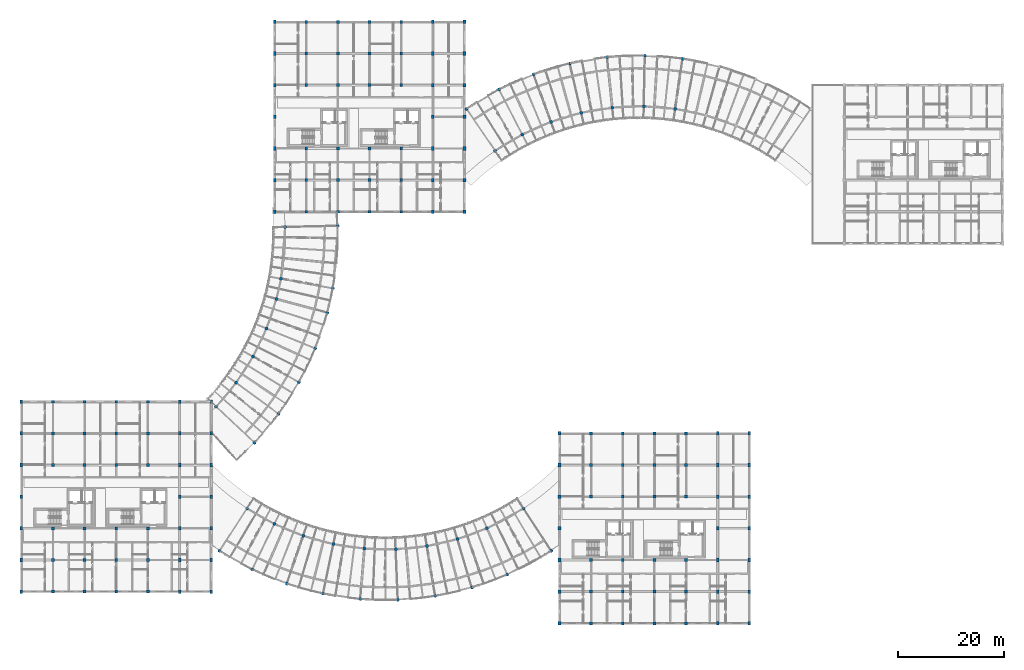
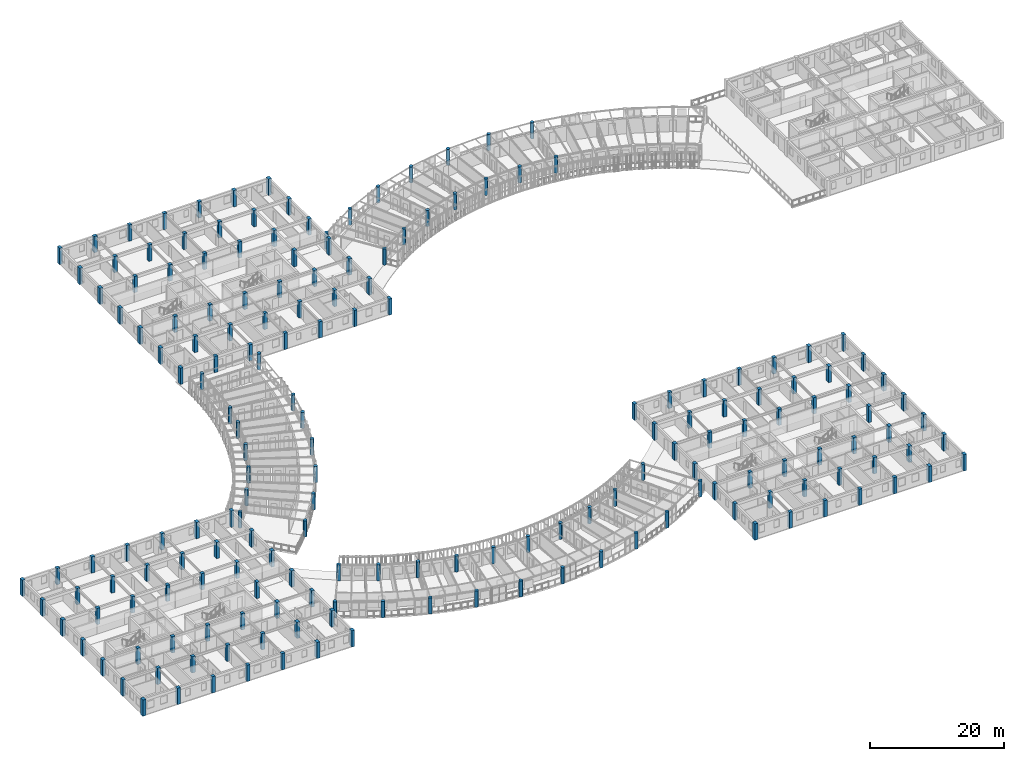
# One storey, part 1 of 101: 183 columns.
"""IFC4 building model written with IfcOpenShell, lengths in metres."""

from ifc_helpers import new_model, si_unit, direction, frame, origin, origin_2d, place, context, subcontext, project, spatial, rectangle, circle, extrude, material, material_profile, profile_set, type_object, element, save


model = new_model("IFC4")

# Units and contexts
model_context = context("Model", 3, precision=1e-05, world=origin(), true_north=direction((0.0, 1.0)))
body_context = subcontext(model_context, "Body", "Model", "MODEL_VIEW")
ifc_project = project(units=[si_unit("LENGTHUNIT", "METRE"), si_unit("AREAUNIT", "SQUARE_METRE"), si_unit("VOLUMEUNIT", "CUBIC_METRE"), si_unit("PLANEANGLEUNIT", "RADIAN"), si_unit("MASSUNIT", "GRAM", prefix="KILO"), si_unit("POWERUNIT", "WATT"), si_unit("THERMODYNAMICTEMPERATUREUNIT", "KELVIN")], contexts=[model_context])

# Site, building, storey
site_placement = place(None, origin())
site = spatial("IfcSite", under=ifc_project, at=site_placement, CompositionType="ELEMENT")
building_placement = place(site_placement, origin())
building = spatial("IfcBuilding", under=site, at=building_placement, Name="Ruvembo Vaulted Housing Court", CompositionType="ELEMENT")
storey_placement = place(building_placement, frame((0.0, 0.0, 17.300048828125)))
storey = spatial("IfcBuildingStorey", under=building, at=storey_placement, Name="L05", CompositionType="ELEMENT", Elevation=17.300048828125)

# Columns
ifc_material = material(Name="Concrete C35/45", Category="concrete")
ifc_material_profile_1 = material_profile(ifc_material, rectangle(XDim=0.5, YDim=0.699951171875, at=origin_2d()), Name="RC 500x700")
ifc_profile_set_1 = profile_set([ifc_material_profile_1], Name="Concrete C35/45")
column_type_1 = type_object("IfcColumnType", Name="COL-RC-500x700", PredefinedType="COLUMN", material=ifc_profile_set_1)
for number, where, z_axis, x_axis, name in (
    (1, (0.0, 6.0, 0.0), (0.0, 0.0, 1.0), (1.0, 0.0, 0.0), "L05 Column (0,6)"),
    (2, (0.0, 12.0, 0.0), (0.0, 0.0, 1.0), (1.0, 0.0, 0.0), "L05 Column (0,12)"),
    (3, (0.0, 18.0, 0.0), (0.0, 0.0, 1.0), (1.0, 0.0, 0.0), "L05 Column (0,18)"),
    (4, (0.0, 24.0, 0.0), (0.0, 0.0, 1.0), (1.0, 0.0, 0.0), "L05 Column (0,24)"),
    (5, (0.0, 30.0, 0.0), (0.0, 0.0, 1.0), (1.0, 0.0, 0.0), "L05 Column (0,30)"),
    (6, (0.0, 36.0, 0.0), (0.0, 0.0, 1.0), (1.0, 0.0, 0.0), "L05 Column (0,36)"),
    (7, (0.0, 42.0, 0.0), (0.0, 0.0, 1.0), (1.0, 0.0, 0.0), "L05 Column (0,42)"),
    (8, (30.0, 6.0, 0.0), (0.0, 0.0, 1.0), (1.0, 0.0, 0.0), "L05 Column (30,6)"),
    (9, (30.0, 12.0, 0.0), (0.0, 0.0, 1.0), (1.0, 0.0, 0.0), "L05 Column (30,12)"),
    (10, (30.0, 18.0, 0.0), (0.0, 0.0, 1.0), (1.0, 0.0, 0.0), "L05 Column (30,18)"),
    (11, (30.0, 24.0, 0.0), (0.0, 0.0, 1.0), (1.0, 0.0, 0.0), "L05 Column (30,24)"),
    (12, (30.0, 30.0, 0.0), (0.0, 0.0, 1.0), (1.0, 0.0, 0.0), "L05 Column (30,30)"),
    (13, (30.0, 36.0, 0.0), (0.0, 0.0, 1.0), (1.0, 0.0, 0.0), "L05 Column (30,36)"),
    (14, (30.0, 42.0, 0.0), (0.0, 0.0, 1.0), (1.0, 0.0, 0.0), "L05 Column (30,42)"),
    (15, (36.0, 6.0, 0.0), (0.0, 0.0, 1.0), (1.0, 0.0, 0.0), "L05 Column (36,6)"),
    (16, (36.0, 12.0, 0.0), (0.0, 0.0, 1.0), (1.0, 0.0, 0.0), "L05 Column (36,12)"),
    (17, (36.0, 18.0, 0.0), (0.0, 0.0, 1.0), (1.0, 0.0, 0.0), "L05 Column (36,18)"),
    (18, (36.0, 24.0, 0.0), (0.0, 0.0, 1.0), (1.0, 0.0, 0.0), "L05 Column (36,24)"),
    (19, (36.0, 30.0, 0.0), (0.0, 0.0, 1.0), (1.0, 0.0, 0.0), "L05 Column (36,30)"),
    (20, (36.0, 36.0, 0.0), (0.0, 0.0, 1.0), (1.0, 0.0, 0.0), "L05 Column (36,36)"),
    (21, (36.0, 42.0, 0.0), (0.0, 0.0, 1.0), (1.0, 0.0, 0.0), "L05 Column (36,42)"),
    (22, (48.0, 78.0, 0.0), (0.0, 0.0, 1.0), (1.0, 0.0, 0.0), "L05 Column (48,78)"),
    (23, (48.0, 84.0, 0.0), (0.0, 0.0, 1.0), (1.0, 0.0, 0.0), "L05 Column (48,84)"),
    (24, (48.0, 90.0, 0.0), (0.0, 0.0, 1.0), (1.0, 0.0, 0.0), "L05 Column (48,90)"),
    (25, (48.0, 96.0, 0.0), (0.0, 0.0, 1.0), (1.0, 0.0, 0.0), "L05 Column (48,96)"),
    (26, (48.0, 102.0, 0.0), (0.0, 0.0, 1.0), (1.0, 0.0, 0.0), "L05 Column (48,102)"),
    (27, (48.0, 108.0, 0.0), (0.0, 0.0, 1.0), (1.0, 0.0, 0.0), "L05 Column (48,108)"),
    (28, (48.0, 114.0, 0.0), (0.0, 0.0, 1.0), (1.0, 0.0, 0.0), "L05 Column (48,114)"),
    (29, (78.0, 78.0, 0.0), (0.0, 0.0, 1.0), (1.0, 0.0, 0.0), "L05 Column (78,78)"),
    (30, (78.0, 84.0, 0.0), (0.0, 0.0, 1.0), (1.0, 0.0, 0.0), "L05 Column (78,84)"),
    (31, (78.0, 90.0, 0.0), (0.0, 0.0, 1.0), (1.0, 0.0, 0.0), "L05 Column (78,90)"),
    (32, (78.0, 96.0, 0.0), (0.0, 0.0, 1.0), (1.0, 0.0, 0.0), "L05 Column (78,96)"),
    (33, (78.0, 102.0, 0.0), (0.0, 0.0, 1.0), (1.0, 0.0, 0.0), "L05 Column (78,102)"),
    (34, (78.0, 108.0, 0.0), (0.0, 0.0, 1.0), (1.0, 0.0, 0.0), "L05 Column (78,108)"),
    (35, (78.0, 114.0, 0.0), (0.0, 0.0, 1.0), (1.0, 0.0, 0.0), "L05 Column (78,114)"),
    (36, (84.0, 78.0, 0.0), (0.0, 0.0, 1.0), (1.0, 0.0, 0.0), "L05 Column (84,78)"),
    (37, (84.0, 84.0, 0.0), (0.0, 0.0, 1.0), (1.0, 0.0, 0.0), "L05 Column (84,84)"),
    (38, (84.0, 90.0, 0.0), (0.0, 0.0, 1.0), (1.0, 0.0, 0.0), "L05 Column (84,90)"),
    (39, (84.0, 96.0, 0.0), (0.0, 0.0, 1.0), (1.0, 0.0, 0.0), "L05 Column (84,96)"),
    (40, (84.0, 102.0, 0.0), (0.0, 0.0, 1.0), (1.0, 0.0, 0.0), "L05 Column (84,102)"),
    (41, (84.0, 108.0, 0.0), (0.0, 0.0, 1.0), (1.0, 0.0, 0.0), "L05 Column (84,108)"),
    (42, (84.0, 114.0, 0.0), (0.0, 0.0, 1.0), (1.0, 0.0, 0.0), "L05 Column (84,114)"),
    (43, (102.0, 0.0, 0.0), (0.0, 0.0, 1.0), (1.0, 0.0, 0.0), "L05 Column (102,0)"),
    (44, (102.0, 6.0, 0.0), (0.0, 0.0, 1.0), (1.0, 0.0, 0.0), "L05 Column (102,6)"),
    (45, (102.0, 12.0, 0.0), (0.0, 0.0, 1.0), (1.0, 0.0, 0.0), "L05 Column (102,12)"),
    (46, (102.0, 18.0, 0.0), (0.0, 0.0, 1.0), (1.0, 0.0, 0.0), "L05 Column (102,18)"),
    (47, (102.0, 24.0, 0.0), (0.0, 0.0, 1.0), (1.0, 0.0, 0.0), "L05 Column (102,24)"),
    (48, (102.0, 30.0, 0.0), (0.0, 0.0, 1.0), (1.0, 0.0, 0.0), "L05 Column (102,30)"),
    (49, (102.0, 36.0, 0.0), (0.0, 0.0, 1.0), (1.0, 0.0, 0.0), "L05 Column (102,36)"),
    (50, (132.0, 0.0, 0.0), (0.0, 0.0, 1.0), (1.0, 0.0, 0.0), "L05 Column (132,0)"),
    (51, (132.0, 6.0, 0.0), (0.0, 0.0, 1.0), (1.0, 0.0, 0.0), "L05 Column (132,6)"),
    (52, (132.0, 12.0, 0.0), (0.0, 0.0, 1.0), (1.0, 0.0, 0.0), "L05 Column (132,12)"),
    (53, (132.0, 18.0, 0.0), (0.0, 0.0, 1.0), (1.0, 0.0, 0.0), "L05 Column (132,18)"),
    (54, (132.0, 24.0, 0.0), (0.0, 0.0, 1.0), (1.0, 0.0, 0.0), "L05 Column (132,24)"),
    (55, (132.0, 30.0, 0.0), (0.0, 0.0, 1.0), (1.0, 0.0, 0.0), "L05 Column (132,30)"),
    (56, (132.0, 36.0, 0.0), (0.0, 0.0, 1.0), (1.0, 0.0, 0.0), "L05 Column (132,36)"),
    (57, (138.0, 0.0, 0.0), (0.0, 0.0, 1.0), (1.0, 0.0, 0.0), "L05 Column (138,0)"),
    (58, (138.0, 6.0, 0.0), (0.0, 0.0, 1.0), (1.0, 0.0, 0.0), "L05 Column (138,6)"),
    (59, (138.0, 12.0, 0.0), (0.0, 0.0, 1.0), (1.0, 0.0, 0.0), "L05 Column (138,12)"),
    (60, (138.0, 18.0, 0.0), (0.0, 0.0, 1.0), (1.0, 0.0, 0.0), "L05 Column (138,18)"),
    (61, (138.0, 24.0, 0.0), (0.0, 0.0, 1.0), (1.0, 0.0, 0.0), "L05 Column (138,24)"),
    (62, (138.0, 30.0, 0.0), (0.0, 0.0, 1.0), (1.0, 0.0, 0.0), "L05 Column (138,30)"),
    (63, (138.0, 36.0, 0.0), (0.0, 0.0, 1.0), (1.0, 0.0, 0.0), "L05 Column (138,36)"),
):
    element("IfcColumn", number, at=place(storey_placement, frame(where, z_axis=z_axis, x_axis=x_axis)), inside=storey, type_object=column_type_1, Name=name, PredefinedType="COLUMN", context=body_context, shape_type="SweptSolid", body=[
        extrude(rectangle(XDim=0.5, YDim=0.699951171875, at=origin_2d()), origin(), (0.0, 0.0, 1.0), 2.96484375),
    ])
ifc_material_profile_2 = material_profile(ifc_material, rectangle(XDim=0.550048828125, YDim=0.550048828125, at=origin_2d()), Name="RC 550x550")
ifc_profile_set_2 = profile_set([ifc_material_profile_2], Name="Concrete C35/45")
column_type_2 = type_object("IfcColumnType", Name="COL-RC-550", PredefinedType="COLUMN", material=ifc_profile_set_2)
for number, where, z_axis, x_axis, name in (
    (64, (6.0, 6.0, 0.0), (0.0, 0.0, 1.0), (1.0, 0.0, 0.0), "L05 Column (6,6)"),
    (65, (6.0, 12.0, 0.0), (0.0, 0.0, 1.0), (1.0, 0.0, 0.0), "L05 Column (6,12)"),
    (66, (6.0, 18.0, 0.0), (0.0, 0.0, 1.0), (1.0, 0.0, 0.0), "L05 Column (6,18)"),
    (67, (6.0, 30.0, 0.0), (0.0, 0.0, 1.0), (1.0, 0.0, 0.0), "L05 Column (6,30)"),
    (68, (6.0, 36.0, 0.0), (0.0, 0.0, 1.0), (1.0, 0.0, 0.0), "L05 Column (6,36)"),
    (69, (6.0, 42.0, 0.0), (0.0, 0.0, 1.0), (1.0, 0.0, 0.0), "L05 Column (6,42)"),
    (70, (12.0, 6.0, 0.0), (0.0, 0.0, 1.0), (1.0, 0.0, 0.0), "L05 Column (12,6)"),
    (71, (12.0, 12.0, 0.0), (0.0, 0.0, 1.0), (1.0, 0.0, 0.0), "L05 Column (12,12)"),
    (72, (12.0, 18.0, 0.0), (0.0, 0.0, 1.0), (1.0, 0.0, 0.0), "L05 Column (12,18)"),
    (73, (12.0, 30.0, 0.0), (0.0, 0.0, 1.0), (1.0, 0.0, 0.0), "L05 Column (12,30)"),
    (74, (12.0, 36.0, 0.0), (0.0, 0.0, 1.0), (1.0, 0.0, 0.0), "L05 Column (12,36)"),
    (75, (12.0, 42.0, 0.0), (0.0, 0.0, 1.0), (1.0, 0.0, 0.0), "L05 Column (12,42)"),
    (76, (18.0, 6.0, 0.0), (0.0, 0.0, 1.0), (1.0, 0.0, 0.0), "L05 Column (18,6)"),
    (77, (18.0, 12.0, 0.0), (0.0, 0.0, 1.0), (1.0, 0.0, 0.0), "L05 Column (18,12)"),
    (78, (18.0, 18.0, 0.0), (0.0, 0.0, 1.0), (1.0, 0.0, 0.0), "L05 Column (18,18)"),
    (79, (18.0, 30.0, 0.0), (0.0, 0.0, 1.0), (1.0, 0.0, 0.0), "L05 Column (18,30)"),
    (80, (18.0, 36.0, 0.0), (0.0, 0.0, 1.0), (1.0, 0.0, 0.0), "L05 Column (18,36)"),
    (81, (18.0, 42.0, 0.0), (0.0, 0.0, 1.0), (1.0, 0.0, 0.0), "L05 Column (18,42)"),
    (82, (24.0, 6.0, 0.0), (0.0, 0.0, 1.0), (1.0, 0.0, 0.0), "L05 Column (24,6)"),
    (83, (24.0, 12.0, 0.0), (0.0, 0.0, 1.0), (1.0, 0.0, 0.0), "L05 Column (24,12)"),
    (84, (24.0, 18.0, 0.0), (0.0, 0.0, 1.0), (1.0, 0.0, 0.0), "L05 Column (24,18)"),
    (85, (24.0, 30.0, 0.0), (0.0, 0.0, 1.0), (1.0, 0.0, 0.0), "L05 Column (24,30)"),
    (86, (24.0, 36.0, 0.0), (0.0, 0.0, 1.0), (1.0, 0.0, 0.0), "L05 Column (24,36)"),
    (87, (24.0, 42.0, 0.0), (0.0, 0.0, 1.0), (1.0, 0.0, 0.0), "L05 Column (24,42)"),
    (88, (54.0, 78.0, 0.0), (0.0, 0.0, 1.0), (1.0, 0.0, 0.0), "L05 Column (54,78)"),
    (89, (54.0, 84.0, 0.0), (0.0, 0.0, 1.0), (1.0, 0.0, 0.0), "L05 Column (54,84)"),
    (90, (54.0, 90.0, 0.0), (0.0, 0.0, 1.0), (1.0, 0.0, 0.0), "L05 Column (54,90)"),
    (91, (54.0, 102.0, 0.0), (0.0, 0.0, 1.0), (1.0, 0.0, 0.0), "L05 Column (54,102)"),
    (92, (54.0, 108.0, 0.0), (0.0, 0.0, 1.0), (1.0, 0.0, 0.0), "L05 Column (54,108)"),
    (93, (54.0, 114.0, 0.0), (0.0, 0.0, 1.0), (1.0, 0.0, 0.0), "L05 Column (54,114)"),
    (94, (60.0, 78.0, 0.0), (0.0, 0.0, 1.0), (1.0, 0.0, 0.0), "L05 Column (60,78)"),
    (95, (60.0, 84.0, 0.0), (0.0, 0.0, 1.0), (1.0, 0.0, 0.0), "L05 Column (60,84)"),
    (96, (60.0, 90.0, 0.0), (0.0, 0.0, 1.0), (1.0, 0.0, 0.0), "L05 Column (60,90)"),
    (97, (60.0, 102.0, 0.0), (0.0, 0.0, 1.0), (1.0, 0.0, 0.0), "L05 Column (60,102)"),
    (98, (60.0, 108.0, 0.0), (0.0, 0.0, 1.0), (1.0, 0.0, 0.0), "L05 Column (60,108)"),
    (99, (60.0, 114.0, 0.0), (0.0, 0.0, 1.0), (1.0, 0.0, 0.0), "L05 Column (60,114)"),
    (100, (66.0, 78.0, 0.0), (0.0, 0.0, 1.0), (1.0, 0.0, 0.0), "L05 Column (66,78)"),
    (101, (66.0, 84.0, 0.0), (0.0, 0.0, 1.0), (1.0, 0.0, 0.0), "L05 Column (66,84)"),
    (102, (66.0, 90.0, 0.0), (0.0, 0.0, 1.0), (1.0, 0.0, 0.0), "L05 Column (66,90)"),
    (103, (66.0, 102.0, 0.0), (0.0, 0.0, 1.0), (1.0, 0.0, 0.0), "L05 Column (66,102)"),
    (104, (66.0, 108.0, 0.0), (0.0, 0.0, 1.0), (1.0, 0.0, 0.0), "L05 Column (66,108)"),
    (105, (66.0, 114.0, 0.0), (0.0, 0.0, 1.0), (1.0, 0.0, 0.0), "L05 Column (66,114)"),
    (106, (72.0, 78.0, 0.0), (0.0, 0.0, 1.0), (1.0, 0.0, 0.0), "L05 Column (72,78)"),
    (107, (72.0, 84.0, 0.0), (0.0, 0.0, 1.0), (1.0, 0.0, 0.0), "L05 Column (72,84)"),
    (108, (72.0, 90.0, 0.0), (0.0, 0.0, 1.0), (1.0, 0.0, 0.0), "L05 Column (72,90)"),
    (109, (72.0, 102.0, 0.0), (0.0, 0.0, 1.0), (1.0, 0.0, 0.0), "L05 Column (72,102)"),
    (110, (72.0, 108.0, 0.0), (0.0, 0.0, 1.0), (1.0, 0.0, 0.0), "L05 Column (72,108)"),
    (111, (72.0, 114.0, 0.0), (0.0, 0.0, 1.0), (1.0, 0.0, 0.0), "L05 Column (72,114)"),
    (112, (108.0, 0.0, 0.0), (0.0, 0.0, 1.0), (1.0, 0.0, 0.0), "L05 Column (108,0)"),
    (113, (108.0, 6.0, 0.0), (0.0, 0.0, 1.0), (1.0, 0.0, 0.0), "L05 Column (108,6)"),
    (114, (108.0, 12.0, 0.0), (0.0, 0.0, 1.0), (1.0, 0.0, 0.0), "L05 Column (108,12)"),
    (115, (108.0, 24.0, 0.0), (0.0, 0.0, 1.0), (1.0, 0.0, 0.0), "L05 Column (108,24)"),
    (116, (108.0, 30.0, 0.0), (0.0, 0.0, 1.0), (1.0, 0.0, 0.0), "L05 Column (108,30)"),
    (117, (108.0, 36.0, 0.0), (0.0, 0.0, 1.0), (1.0, 0.0, 0.0), "L05 Column (108,36)"),
    (118, (114.0, 0.0, 0.0), (0.0, 0.0, 1.0), (1.0, 0.0, 0.0), "L05 Column (114,0)"),
    (119, (114.0, 6.0, 0.0), (0.0, 0.0, 1.0), (1.0, 0.0, 0.0), "L05 Column (114,6)"),
    (120, (114.0, 12.0, 0.0), (0.0, 0.0, 1.0), (1.0, 0.0, 0.0), "L05 Column (114,12)"),
    (121, (114.0, 24.0, 0.0), (0.0, 0.0, 1.0), (1.0, 0.0, 0.0), "L05 Column (114,24)"),
    (122, (114.0, 30.0, 0.0), (0.0, 0.0, 1.0), (1.0, 0.0, 0.0), "L05 Column (114,30)"),
    (123, (114.0, 36.0, 0.0), (0.0, 0.0, 1.0), (1.0, 0.0, 0.0), "L05 Column (114,36)"),
    (124, (120.0, 0.0, 0.0), (0.0, 0.0, 1.0), (1.0, 0.0, 0.0), "L05 Column (120,0)"),
    (125, (120.0, 6.0, 0.0), (0.0, 0.0, 1.0), (1.0, 0.0, 0.0), "L05 Column (120,6)"),
    (126, (120.0, 12.0, 0.0), (0.0, 0.0, 1.0), (1.0, 0.0, 0.0), "L05 Column (120,12)"),
    (127, (120.0, 24.0, 0.0), (0.0, 0.0, 1.0), (1.0, 0.0, 0.0), "L05 Column (120,24)"),
    (128, (120.0, 30.0, 0.0), (0.0, 0.0, 1.0), (1.0, 0.0, 0.0), "L05 Column (120,30)"),
    (129, (120.0, 36.0, 0.0), (0.0, 0.0, 1.0), (1.0, 0.0, 0.0), "L05 Column (120,36)"),
    (130, (126.0, 0.0, 0.0), (0.0, 0.0, 1.0), (1.0, 0.0, 0.0), "L05 Column (126,0)"),
    (131, (126.0, 6.0, 0.0), (0.0, 0.0, 1.0), (1.0, 0.0, 0.0), "L05 Column (126,6)"),
    (132, (126.0, 12.0, 0.0), (0.0, 0.0, 1.0), (1.0, 0.0, 0.0), "L05 Column (126,12)"),
    (133, (126.0, 24.0, 0.0), (0.0, 0.0, 1.0), (1.0, 0.0, 0.0), "L05 Column (126,24)"),
    (134, (126.0, 30.0, 0.0), (0.0, 0.0, 1.0), (1.0, 0.0, 0.0), "L05 Column (126,30)"),
    (135, (126.0, 36.0, 0.0), (0.0, 0.0, 1.0), (1.0, 0.0, 0.0), "L05 Column (126,36)"),
):
    element("IfcColumn", number, at=place(storey_placement, frame(where, z_axis=z_axis, x_axis=x_axis)), inside=storey, type_object=column_type_2, Name=name, PredefinedType="COLUMN", context=body_context, shape_type="SweptSolid", body=[
        extrude(rectangle(XDim=0.550048828125, YDim=0.550048828125, at=origin_2d()), origin(), (0.0, 0.0, 1.0), 2.96484375),
    ])
ifc_material_profile_3 = material_profile(ifc_material, circle(Radius=0.300048828125, at=origin_2d()), Name="RC D600")
ifc_profile_set_3 = profile_set([ifc_material_profile_3], Name="Concrete C35/45")
column_type_3 = type_object("IfcColumnType", Name="PILOTIS-D600", PredefinedType="COLUMN", material=ifc_profile_set_3)
for number, where, z_axis, x_axis, name in (
    (136, (36.9306640625, 41.078125, 0.0), (0.0, 0.0, 1.0), (1.0, 0.0, 0.0), "L05 Scooped Pier CP-SC1-F01"),
    (137, (44.207763671875, 34.21923828125, 0.0), (0.0, 0.0, 1.0), (1.0, 0.0, 0.0), "L05 Scooped Pier CP-SC1-B01"),
    (138, (40.7041015625, 45.60986328125, 0.0), (0.0, 0.0, 1.0), (1.0, 0.0, 0.0), "L05 Scooped Pier CP-SC1-F02"),
    (139, (48.767333984375, 39.6953125, 0.0), (0.0, 0.0, 1.0), (1.0, 0.0, 0.0), "L05 Scooped Pier CP-SC1-B02"),
    (140, (43.89306640625, 50.570068359375, 0.0), (0.0, 0.0, 1.0), (1.0, 0.0, 0.0), "L05 Scooped Pier CP-SC1-F03"),
    (141, (52.620849609375, 45.688720703125, 0.0), (0.0, 0.0, 1.0), (1.0, 0.0, 0.0), "L05 Scooped Pier CP-SC1-B03"),
    (142, (46.449951171875, 55.8837890625, 0.0), (0.0, 0.0, 1.0), (1.0, 0.0, 0.0), "L05 Scooped Pier CP-SC1-F04"),
    (143, (55.71044921875, 52.109619140625, 0.0), (0.0, 0.0, 1.0), (1.0, 0.0, 0.0), "L05 Scooped Pier CP-SC1-B04"),
    (144, (48.3359375, 61.47119140625, 0.0), (0.0, 0.0, 1.0), (1.0, 0.0, 0.0), "L05 Scooped Pier CP-SC1-F05"),
    (145, (57.989501953125, 58.861083984375, 0.0), (0.0, 0.0, 1.0), (1.0, 0.0, 0.0), "L05 Scooped Pier CP-SC1-B05"),
    (146, (49.206298828125, 65.306396484375, 0.0), (0.0, 0.0, 1.0), (1.0, 0.0, 0.0), "L05 Scooped Pier CP-SC1-F06"),
    (147, (59.040771484375, 63.495361328125, 0.0), (0.0, 0.0, 1.0), (1.0, 0.0, 0.0), "L05 Scooped Pier CP-SC1-B06"),
    (148, (49.987548828125, 75.092529296875, 0.0), (0.0, 0.0, 1.0), (1.0, 0.0, 0.0), "L05 Scooped Pier CP-SC1-F07"),
    (149, (59.985107421875, 75.3203125, 0.0), (0.0, 0.0, 1.0), (1.0, 0.0, 0.0), "L05 Scooped Pier CP-SC1-B07"),
    (150, (42.79345703125, 21.785400390625, 0.0), (0.0, 0.0, 1.0), (1.0, 0.0, 0.0), "L05 Scooped Pier CP-SC2-F01"),
    (151, (37.55224609375, 13.742431640625, 0.0), (0.0, 0.0, 1.0), (1.0, 0.0, 0.0), "L05 Scooped Pier CP-SC2-B01"),
    (152, (47.958251953125, 18.85791015625, 0.0), (0.0, 0.0, 1.0), (1.0, 0.0, 0.0), "L05 Scooped Pier CP-SC2-F02"),
    (153, (43.749755859375, 10.2294921875, 0.0), (0.0, 0.0, 1.0), (1.0, 0.0, 0.0), "L05 Scooped Pier CP-SC2-B02"),
    (154, (53.44482421875, 16.59033203125, 0.0), (0.0, 0.0, 1.0), (1.0, 0.0, 0.0), "L05 Scooped Pier CP-SC2-F03"),
    (155, (50.333740234375, 7.50830078125, 0.0), (0.0, 0.0, 1.0), (1.0, 0.0, 0.0), "L05 Scooped Pier CP-SC2-B03"),
    (156, (59.169189453125, 15.017578125, 0.0), (0.0, 0.0, 1.0), (1.0, 0.0, 0.0), "L05 Scooped Pier CP-SC2-F04"),
    (157, (57.203125, 5.62109375, 0.0), (0.0, 0.0, 1.0), (1.0, 0.0, 0.0), "L05 Scooped Pier CP-SC2-B04"),
    (158, (65.044189453125, 14.163330078125, 0.0), (0.0, 0.0, 1.0), (1.0, 0.0, 0.0), "L05 Scooped Pier CP-SC2-F05"),
    (159, (64.2529296875, 4.595947265625, 0.0), (0.0, 0.0, 1.0), (1.0, 0.0, 0.0), "L05 Scooped Pier CP-SC2-B05"),
    (160, (70.9794921875, 14.040771484375, 0.0), (0.0, 0.0, 1.0), (1.0, 0.0, 0.0), "L05 Scooped Pier CP-SC2-F06"),
    (161, (71.37548828125, 4.448974609375, 0.0), (0.0, 0.0, 1.0), (1.0, 0.0, 0.0), "L05 Scooped Pier CP-SC2-B06"),
    (162, (76.884765625, 14.652099609375, 0.0), (0.0, 0.0, 1.0), (1.0, 0.0, 0.0), "L05 Scooped Pier CP-SC2-F07"),
    (163, (78.461669921875, 5.182373046875, 0.0), (0.0, 0.0, 1.0), (1.0, 0.0, 0.0), "L05 Scooped Pier CP-SC2-B07"),
    (164, (82.669189453125, 15.987548828125, 0.0), (0.0, 0.0, 1.0), (1.0, 0.0, 0.0), "L05 Scooped Pier CP-SC2-F08"),
    (165, (85.403076171875, 6.784912109375, 0.0), (0.0, 0.0, 1.0), (1.0, 0.0, 0.0), "L05 Scooped Pier CP-SC2-B08"),
    (166, (88.24462890625, 18.02685546875, 0.0), (0.0, 0.0, 1.0), (1.0, 0.0, 0.0), "L05 Scooped Pier CP-SC2-F09"),
    (167, (92.093505859375, 9.232177734375, 0.0), (0.0, 0.0, 1.0), (1.0, 0.0, 0.0), "L05 Scooped Pier CP-SC2-B09"),
    (168, (95.20654296875, 21.785400390625, 0.0), (0.0, 0.0, 1.0), (1.0, 0.0, 0.0), "L05 Scooped Pier CP-SC2-F10"),
    (169, (100.44775390625, 13.742431640625, 0.0), (0.0, 0.0, 1.0), (1.0, 0.0, 0.0), "L05 Scooped Pier CP-SC2-B10"),
    (170, (89.82177734375, 89.564453125, 0.0), (0.0, 0.0, 1.0), (1.0, 0.0, 0.0), "L05 Scooped Pier CP-SC3-F01"),
    (171, (84.38623046875, 97.477294921875, 0.0), (0.0, 0.0, 1.0), (1.0, 0.0, 0.0), "L05 Scooped Pier CP-SC3-B01"),
    (172, (94.946533203125, 92.6337890625, 0.0), (0.0, 0.0, 1.0), (1.0, 0.0, 0.0), "L05 Scooped Pier CP-SC3-F02"),
    (173, (90.535888671875, 101.16064453125, 0.0), (0.0, 0.0, 1.0), (1.0, 0.0, 0.0), "L05 Scooped Pier CP-SC3-B02"),
    (174, (100.412841796875, 95.04296875, 0.0), (0.0, 0.0, 1.0), (1.0, 0.0, 0.0), "L05 Scooped Pier CP-SC3-F03"),
    (175, (97.095458984375, 104.051513671875, 0.0), (0.0, 0.0, 1.0), (1.0, 0.0, 0.0), "L05 Scooped Pier CP-SC3-B03"),
    (176, (106.13623046875, 96.75439453125, 0.0), (0.0, 0.0, 1.0), (1.0, 0.0, 0.0), "L05 Scooped Pier CP-SC3-F04"),
    (177, (103.96337890625, 106.105224609375, 0.0), (0.0, 0.0, 1.0), (1.0, 0.0, 0.0), "L05 Scooped Pier CP-SC3-B04"),
    (178, (112.027587890625, 97.74169921875, 0.0), (0.0, 0.0, 1.0), (1.0, 0.0, 0.0), "L05 Scooped Pier CP-SC3-F05"),
    (179, (111.033203125, 107.2900390625, 0.0), (0.0, 0.0, 1.0), (1.0, 0.0, 0.0), "L05 Scooped Pier CP-SC3-B05"),
    (180, (117.99609375, 97.98974609375, 0.0), (0.0, 0.0, 1.0), (1.0, 0.0, 0.0), "L05 Scooped Pier CP-SC3-F06"),
    (181, (118.1953125, 107.587646484375, 0.0), (0.0, 0.0, 1.0), (1.0, 0.0, 0.0), "L05 Scooped Pier CP-SC3-B06"),
    (182, (123.94921875, 97.494384765625, 0.0), (0.0, 0.0, 1.0), (1.0, 0.0, 0.0), "L05 Scooped Pier CP-SC3-F07"),
    (183, (125.339111328125, 106.9931640625, 0.0), (0.0, 0.0, 1.0), (1.0, 0.0, 0.0), "L05 Scooped Pier CP-SC3-B07"),
):
    element("IfcColumn", number, at=place(storey_placement, frame(where, z_axis=z_axis, x_axis=x_axis)), inside=storey, type_object=column_type_3, Name=name, PredefinedType="COLUMN", context=body_context, shape_type="SweptSolid", body=[
        extrude(circle(Radius=0.300048828125, at=origin_2d()), origin(), (0.0, 0.0, 1.0), 2.93994140625),
    ])

save(model, "model.ifc")
